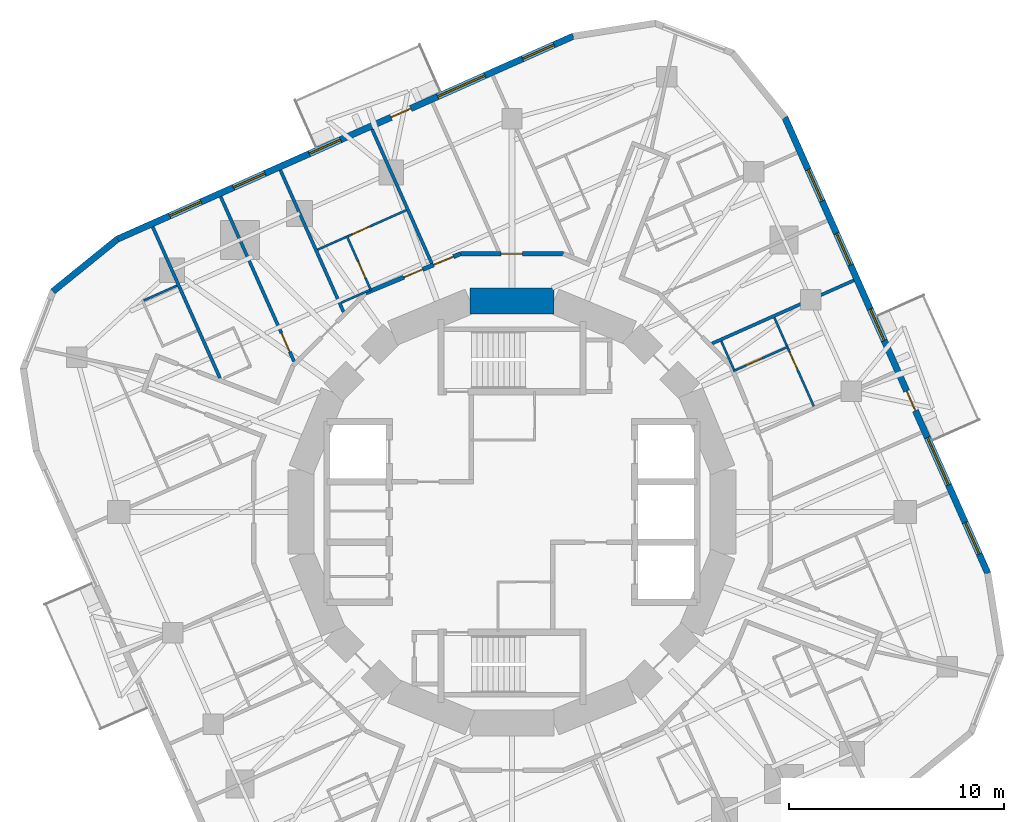
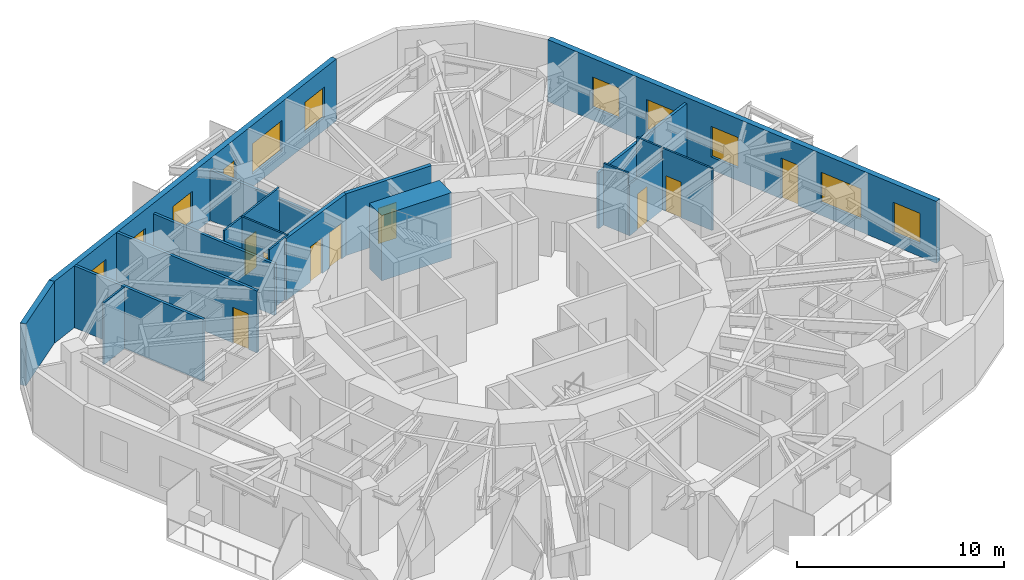
# One storey, part 9 of 12: 20 walls, 10 doors, 10 windows, 20 openings.
"""IFC4 building model written with IfcOpenShell, lengths in metres."""

from ifc_helpers import new_model, si_unit, direction, frame, frame_2d, origin, place, context, subcontext, project, spatial, rectangle, extrude, material, layer, layer_set, type_object, element, fill, save


model = new_model("IFC4")

# Units and contexts
model_context = context("Model", 3, precision=1e-05, world=origin(), true_north=direction((0.0, 1.0)))
body_context = subcontext(model_context, "Body", "Model", "MODEL_VIEW")
ifc_project = project(units=[si_unit("LENGTHUNIT", "METRE"), si_unit("AREAUNIT", "SQUARE_METRE"), si_unit("VOLUMEUNIT", "CUBIC_METRE"), si_unit("PLANEANGLEUNIT", "RADIAN"), si_unit("MASSUNIT", "GRAM", prefix="KILO")], contexts=[model_context])

# Site, building, storey
site_placement = place(None, origin())
site = spatial("IfcSite", under=ifc_project, at=site_placement, CompositionType="ELEMENT")
building_placement = place(site_placement, origin())
building = spatial("IfcBuilding", under=site, at=building_placement, Name="Nakasero Lantern House", CompositionType="ELEMENT")
storey_placement = place(building_placement, frame((0.0, 0.0, 190.14990234375)))
storey = spatial("IfcBuildingStorey", under=building, at=storey_placement, Name="L46", CompositionType="ELEMENT", Elevation=190.14990234375)

# Wall
ifc_material_1 = material(Name="Concrete C50/60", Category="concrete")
ifc_layer_1 = layer(ifc_material_1, 1.199951171875)
ifc_layer_set_1 = layer_set([ifc_layer_1], Name="Core wall 1200")
wall_type_1 = type_object("IfcWallType", Name="Core wall 1200", PredefinedType="SHEAR", material=ifc_layer_set_1)
wall_1_placement = place(storey_placement, frame((1.950927734375, 9.807861328125, 0.0), z_axis=(0.0, 0.0, 1.0), x_axis=(-1.0, 0.0, 0.0)))
element("IfcWall", 1, at=wall_1_placement, inside=storey, type_object=wall_type_1, Name="Core wall L46 facet 4", PredefinedType="SHEAR", context=body_context, shape_type="SweptSolid", body=[
    extrude(rectangle(XDim=3.90185546875, YDim=1.199951171875, at=frame_2d((1.950927734375, 0.0))), origin(), (0.0, 0.0, 1.0), 3.85009765625),
])

# Wall, openings, doors
ifc_material_2 = material(Name="Blockwork", Category="masonry")
ifc_layer_2 = layer(ifc_material_2, 0.199951171875)
ifc_layer_set_2 = layer_set([ifc_layer_2], Name="Corridor wall 200")
wall_type_2 = type_object("IfcWallType", Name="Corridor wall 200", PredefinedType="PARTITIONING", material=ifc_layer_set_2)
wall_2_placement = place(storey_placement, frame((-6.802001953125, 10.1796875, 0.0), z_axis=(0.0, 0.0, 1.0), x_axis=(0.923882292998, 0.382676767893, 0.0)))
wall_2 = element("IfcWall", 2, at=wall_2_placement, inside=storey, type_object=wall_type_2, Name="Corridor wall L46 RC11a", PredefinedType="PARTITIONING", context=body_context, shape_type="SweptSolid", body=[
    extrude(rectangle(XDim=4.777099609375, YDim=0.199951171875, at=frame_2d((2.388671875, 0.0))), origin(), (0.0, 0.0, 1.0), 3.650146484375),
])
opening_1_placement = place(wall_2_placement, frame((1.919921875, 0.0, 0.0)))
opening_1 = element("IfcOpeningElement", 3, at=opening_1_placement, cuts=wall_2, Name="Opening D01", PredefinedType="OPENING", context=body_context, shape_type="SweptSolid", body=[
    extrude(rectangle(XDim=0.949951171875, YDim=2.10009765625, at=frame_2d((0.47509765625, 1.050048828125))), frame((0.0, 0.119873046875, 0.0), z_axis=(0.0, -1.0, 0.0), x_axis=(1.0, 0.0, 0.0)), (0.0, 0.0, 1.0), 0.239990234375),
])
opening_2_placement = place(wall_2_placement, frame((3.419921875, 0.0, 0.0)))
opening_2 = element("IfcOpeningElement", 4, at=opening_2_placement, cuts=wall_2, Name="Opening D03", PredefinedType="OPENING", context=body_context, shape_type="SweptSolid", body=[
    extrude(rectangle(XDim=1.0, YDim=2.10009765625, at=frame_2d((0.5, 1.050048828125))), frame((0.0, 0.119873046875, 0.0), z_axis=(0.0, -1.0, 0.0), x_axis=(1.0, 0.0, 0.0)), (0.0, 0.0, 1.0), 0.239990234375),
])
ifc_material_3 = material(Name="Timber C24", Category="wood")
door_type_1 = type_object("IfcDoorType", Name="Bedroom door FD30S 950", OperationType="SINGLE_SWING_LEFT", PredefinedType="DOOR", material=ifc_material_3)
door_1_placement = place(opening_1_placement, origin())
door_1 = element("IfcDoor", 5, at=door_1_placement, inside=storey, type_object=door_type_1, Name="Door L46 D1-03", OperationType="SINGLE_SWING_RIGHT", OverallHeight=2.10009765625, OverallWidth=0.949951171875, PredefinedType="DOOR", context=body_context, shape_type="SweptSolid", body=[
    extrude(rectangle(XDim=0.949951171875, YDim=2.10009765625, at=frame_2d((0.47509765625, 1.050048828125))), frame((0.0, 0.02490234375, 0.0), z_axis=(0.0, -1.0, 0.0), x_axis=(1.0, 0.0, 0.0)), (0.0, 0.0, 1.0), 0.050048828125),
])
fill(opening_1, door_1)
ifc_material_4 = material(Name="Timber C24", Category="wood")
door_type_2 = type_object("IfcDoorType", Name="Lounge door FD30S 1000", OperationType="SINGLE_SWING_LEFT", PredefinedType="DOOR", material=ifc_material_4)
door_2_placement = place(opening_2_placement, origin())
door_2 = element("IfcDoor", 6, at=door_2_placement, inside=storey, type_object=door_type_2, Name="Door L46 DK1-1", OperationType="SINGLE_SWING_RIGHT", OverallHeight=2.10009765625, OverallWidth=1.0, PredefinedType="DOOR", context=body_context, shape_type="SweptSolid", body=[
    extrude(rectangle(XDim=1.0, YDim=2.10009765625, at=frame_2d((0.5, 1.050048828125))), frame((0.0, 0.02490234375, 0.0), z_axis=(0.0, -1.0, 0.0), x_axis=(1.0, 0.0, 0.0)), (0.0, 0.0, 1.0), 0.050048828125),
])
fill(opening_2, door_2)

# Wall, opening, door
wall_3_placement = place(storey_placement, frame((-2.388427734375, 12.0078125, 0.0), z_axis=(0.0, 0.0, 1.0), x_axis=(1.0, 0.0, 0.0)))
wall_3 = element("IfcWall", 7, at=wall_3_placement, inside=storey, type_object=wall_type_2, Name="Corridor wall L46 RC12a", PredefinedType="PARTITIONING", context=body_context, shape_type="SweptSolid", body=[
    extrude(rectangle(XDim=4.77685546875, YDim=0.199951171875, at=frame_2d((2.388427734375, 0.0))), origin(), (0.0, 0.0, 1.0), 3.650146484375),
])
opening_3_placement = place(wall_3_placement, frame((1.8701171875, 0.0, 0.0)))
opening_3 = element("IfcOpeningElement", 8, at=opening_3_placement, cuts=wall_3, Name="Opening D03", PredefinedType="OPENING", context=body_context, shape_type="SweptSolid", body=[
    extrude(rectangle(XDim=1.0, YDim=2.10009765625, at=frame_2d((0.5, 1.050048828125))), frame((0.0, 0.119873046875, 0.0), z_axis=(0.0, -1.0, 0.0), x_axis=(1.0, 0.0, 0.0)), (0.0, 0.0, 1.0), 0.239990234375),
])
door_3_placement = place(opening_3_placement, origin())
door_3 = element("IfcDoor", 9, at=door_3_placement, inside=storey, type_object=door_type_2, Name="Door L46 DK1", OperationType="SINGLE_SWING_LEFT", OverallHeight=2.10009765625, OverallWidth=1.0, PredefinedType="DOOR", context=body_context, shape_type="SweptSolid", body=[
    extrude(rectangle(XDim=1.0, YDim=2.10009765625, at=frame_2d((0.5, 1.050048828125))), frame((0.0, 0.02490234375, 0.0), z_axis=(0.0, -1.0, 0.0), x_axis=(1.0, 0.0, 0.0)), (0.0, 0.0, 1.0), 0.050048828125),
])
fill(opening_3, door_3)

ifc_material_5 = material(Name="Blockwork", Category="masonry")
ifc_layer_3 = layer(ifc_material_5, 0.10009765625)
ifc_layer_set_3 = layer_set([ifc_layer_3], Name="En-suite wall 100")
wall_type_3 = type_object("IfcWallType", Name="En-suite wall 100", PredefinedType="PARTITIONING", material=ifc_layer_set_3)
wall_4_placement = place(storey_placement, frame((10.29248046875, 6.550048828125, 0.0), z_axis=(0.0, 0.0, 1.0), x_axis=(0.913534471978, 0.406761316386, 0.0)))
wall_4 = element("IfcWall", 10, at=wall_4_placement, inside=storey, type_object=wall_type_3, Name="En-suite wall L46 ES0-03", PredefinedType="PARTITIONING", context=body_context, shape_type="SweptSolid", body=[
    extrude(rectangle(XDim=2.800048828125, YDim=0.10009765625, at=frame_2d((1.39990234375, 0.0))), origin(), (0.0, 0.0, 1.0), 3.037841796875),
])
opening_4_placement = place(wall_4_placement, frame((0.64990234375, 0.0, 0.0)))
opening_4 = element("IfcOpeningElement", 11, at=opening_4_placement, cuts=wall_4, Name="Opening D02", PredefinedType="OPENING", context=body_context, shape_type="SweptSolid", body=[
    extrude(rectangle(XDim=0.800048828125, YDim=2.10009765625, at=frame_2d((0.39990234375, 1.050048828125))), frame((0.0, 0.070068359375, 0.0), z_axis=(0.0, -1.0, 0.0), x_axis=(1.0, 0.0, 0.0)), (0.0, 0.0, 1.0), 0.14013671875),
])
ifc_material_6 = material(Name="Timber C24", Category="wood")
door_type_3 = type_object("IfcDoorType", Name="En-suite door 800", OperationType="SINGLE_SWING_RIGHT", PredefinedType="DOOR", material=ifc_material_6)
door_4_placement = place(opening_4_placement, origin())
door_4 = element("IfcDoor", 12, at=door_4_placement, inside=storey, type_object=door_type_3, Name="Door L46 DE0-03", OperationType="SINGLE_SWING_LEFT", OverallHeight=2.10009765625, OverallWidth=0.800048828125, PredefinedType="DOOR", context=body_context, shape_type="SweptSolid", body=[
    extrude(rectangle(XDim=0.800048828125, YDim=2.10009765625, at=frame_2d((0.39990234375, 1.050048828125))), frame((0.0, 0.02490234375, 0.0), z_axis=(0.0, -1.0, 0.0), x_axis=(1.0, 0.0, 0.0)), (0.0, 0.0, 1.0), 0.050048828125),
])
fill(opening_4, door_4)

# Walls
wall_5_placement = place(storey_placement, frame((12.784423828125, 7.71435546875, 0.0), z_axis=(0.0, 0.0, 1.0), x_axis=(-0.40682579145, 0.913505761017, 0.0)))
element("IfcWall", 13, at=wall_5_placement, inside=storey, type_object=wall_type_3, Name="En-suite wall L46 EE0-03", PredefinedType="PARTITIONING", context=body_context, shape_type="SweptSolid", body=[
    extrude(rectangle(XDim=1.449951171875, YDim=0.10009765625, at=frame_2d((0.72509765625, 0.0))), origin(), (0.0, 0.0, 1.0), 3.650146484375),
])
wall_6_placement = place(storey_placement, frame((10.31787109375, 6.615966796875, 0.0), z_axis=(0.0, 0.0, 1.0), x_axis=(-0.406763220732, 0.913533624044, 0.0)))
element("IfcWall", 14, at=wall_6_placement, inside=storey, type_object=wall_type_3, Name="En-suite wall L46 EI0-03", PredefinedType="PARTITIONING", context=body_context, shape_type="SweptSolid", body=[
    extrude(rectangle(XDim=1.4501953125, YDim=0.10009765625, at=frame_2d((0.72509765625, 0.0))), origin(), (0.0, 0.0, 1.0), 3.650146484375),
])

# Wall, opening, door
wall_7_placement = place(storey_placement, frame((-6.550048828125, 10.29248046875, 0.0), z_axis=(0.0, 0.0, 1.0), x_axis=(-0.406761316386, 0.913534471978, 0.0)))
wall_7 = element("IfcWall", 15, at=wall_7_placement, inside=storey, type_object=wall_type_3, Name="En-suite wall L46 ES1-03", PredefinedType="PARTITIONING", context=body_context, shape_type="SweptSolid", body=[
    extrude(rectangle(XDim=2.800048828125, YDim=0.10009765625, at=frame_2d((1.39990234375, 0.0))), origin(), (0.0, 0.0, 1.0), 3.650146484375),
])
opening_5_placement = place(wall_7_placement, frame((0.64990234375, 0.0, 0.0)))
opening_5 = element("IfcOpeningElement", 16, at=opening_5_placement, cuts=wall_7, Name="Opening D02", PredefinedType="OPENING", context=body_context, shape_type="SweptSolid", body=[
    extrude(rectangle(XDim=0.800048828125, YDim=2.10009765625, at=frame_2d((0.39990234375, 1.050048828125))), frame((0.0, 0.070068359375, 0.0), z_axis=(0.0, -1.0, 0.0), x_axis=(1.0, 0.0, 0.0)), (0.0, 0.0, 1.0), 0.14013671875),
])
door_5_placement = place(opening_5_placement, origin())
door_5 = element("IfcDoor", 17, at=door_5_placement, inside=storey, type_object=door_type_3, Name="Door L46 DE1-03", OperationType="SINGLE_SWING_LEFT", OverallHeight=2.10009765625, OverallWidth=0.800048828125, PredefinedType="DOOR", context=body_context, shape_type="SweptSolid", body=[
    extrude(rectangle(XDim=0.800048828125, YDim=2.10009765625, at=frame_2d((0.39990234375, 1.050048828125))), frame((0.0, 0.02490234375, 0.0), z_axis=(0.0, -1.0, 0.0), x_axis=(1.0, 0.0, 0.0)), (0.0, 0.0, 1.0), 0.050048828125),
])
fill(opening_5, door_5)

# Walls
wall_8_placement = place(storey_placement, frame((-7.71435546875, 12.784423828125, 0.0), z_axis=(0.0, 0.0, 1.0), x_axis=(-0.913505761017, -0.40682579145, 0.0)))
element("IfcWall", 18, at=wall_8_placement, inside=storey, type_object=wall_type_3, Name="En-suite wall L46 EE1-03", PredefinedType="PARTITIONING", context=body_context, shape_type="SweptSolid", body=[
    extrude(rectangle(XDim=1.449951171875, YDim=0.10009765625, at=frame_2d((0.72509765625, 0.0))), origin(), (0.0, 0.0, 1.0), 3.650146484375),
])
wall_9_placement = place(storey_placement, frame((-6.615966796875, 10.31787109375, 0.0), z_axis=(0.0, 0.0, 1.0), x_axis=(-0.913533624044, -0.406763220732, 0.0)))
element("IfcWall", 19, at=wall_9_placement, inside=storey, type_object=wall_type_3, Name="En-suite wall L46 EI1-03", PredefinedType="PARTITIONING", context=body_context, shape_type="SweptSolid", body=[
    extrude(rectangle(XDim=1.4501953125, YDim=0.10009765625, at=frame_2d((0.72509765625, 0.0))), origin(), (0.0, 0.0, 1.0), 3.650146484375),
])
wall_10_placement = place(storey_placement, frame((-15.572265625, 10.526123046875, 0.0), z_axis=(0.0, 0.0, 1.0), x_axis=(-0.913550776237, -0.406724697108, 0.0)))
element("IfcWall", 20, at=wall_10_placement, inside=storey, type_object=wall_type_3, Name="En-suite wall L46 EE1-06", PredefinedType="PARTITIONING", context=body_context, shape_type="SweptSolid", body=[
    extrude(rectangle(XDim=1.699951171875, YDim=0.10009765625, at=frame_2d((0.85009765625, 0.0))), origin(), (0.0, 0.0, 1.0), 3.650146484375),
])

# Wall, opening, door
wall_11_placement = place(storey_placement, frame((14.03125, 4.913818359375, 0.0), z_axis=(0.0, 0.0, 1.0), x_axis=(-0.406787659366, 0.91352274202, 0.0)))
wall_11 = element("IfcWall", 21, at=wall_11_placement, inside=storey, type_object=wall_type_3, Name="En-suite wall L46 EL0-03", PredefinedType="PARTITIONING", context=body_context, shape_type="SweptSolid", body=[
    extrude(rectangle(XDim=2.96533203125, YDim=0.10009765625, at=frame_2d((1.482666015625, 0.0))), origin(), (0.0, 0.0, 1.0), 3.650146484375),
])
opening_6_placement = place(wall_11_placement, frame((1.865478515625, 0.0, 0.0)))
opening_6 = element("IfcOpeningElement", 22, at=opening_6_placement, cuts=wall_11, Name="Opening D17", PredefinedType="OPENING", context=body_context, shape_type="SweptSolid", body=[
    extrude(rectangle(XDim=0.89990234375, YDim=2.10009765625, at=frame_2d((0.449951171875, 1.050048828125))), frame((0.0, 0.070068359375, 0.0), z_axis=(0.0, -1.0, 0.0), x_axis=(1.0, 0.0, 0.0)), (0.0, 0.0, 1.0), 0.14013671875),
])
ifc_material_7 = material(Name="Timber C24", Category="wood")
door_type_4 = type_object("IfcDoorType", Name="Bedroom door FD30S 900", OperationType="SINGLE_SWING_LEFT", PredefinedType="DOOR", material=ifc_material_7)
door_6_placement = place(opening_6_placement, origin())
door_6 = element("IfcDoor", 23, at=door_6_placement, inside=storey, type_object=door_type_4, Name="Door L46 DL0-03", OperationType="SINGLE_SWING_RIGHT", OverallHeight=2.10009765625, OverallWidth=0.89990234375, PredefinedType="DOOR", context=body_context, shape_type="SweptSolid", body=[
    extrude(rectangle(XDim=0.89990234375, YDim=2.10009765625, at=frame_2d((0.449951171875, 1.050048828125))), frame((0.0, 0.02490234375, 0.0), z_axis=(0.0, -1.0, 0.0), x_axis=(1.0, 0.0, 0.0)), (0.0, 0.0, 1.0), 0.050048828125),
])
fill(opening_6, door_6)

wall_12_placement = place(storey_placement, frame((-4.913818359375, 14.03125, 0.0), z_axis=(0.0, 0.0, 1.0), x_axis=(-0.91352274202, -0.406787659366, 0.0)))
wall_12 = element("IfcWall", 24, at=wall_12_placement, inside=storey, type_object=wall_type_3, Name="En-suite wall L46 EL1-03", PredefinedType="PARTITIONING", context=body_context, shape_type="SweptSolid", body=[
    extrude(rectangle(XDim=2.96533203125, YDim=0.10009765625, at=frame_2d((1.482666015625, 0.0))), origin(), (0.0, 0.0, 1.0), 3.650146484375),
])
opening_7_placement = place(wall_12_placement, frame((1.865478515625, 0.0, 0.0)))
opening_7 = element("IfcOpeningElement", 25, at=opening_7_placement, cuts=wall_12, Name="Opening D17", PredefinedType="OPENING", context=body_context, shape_type="SweptSolid", body=[
    extrude(rectangle(XDim=0.89990234375, YDim=2.10009765625, at=frame_2d((0.449951171875, 1.050048828125))), frame((0.0, 0.070068359375, 0.0), z_axis=(0.0, -1.0, 0.0), x_axis=(1.0, 0.0, 0.0)), (0.0, 0.0, 1.0), 0.14013671875),
])
door_7_placement = place(opening_7_placement, origin())
door_7 = element("IfcDoor", 26, at=door_7_placement, inside=storey, type_object=door_type_4, Name="Door L46 DL1-03", OperationType="SINGLE_SWING_RIGHT", OverallHeight=2.10009765625, OverallWidth=0.89990234375, PredefinedType="DOOR", context=body_context, shape_type="SweptSolid", body=[
    extrude(rectangle(XDim=0.89990234375, YDim=2.10009765625, at=frame_2d((0.449951171875, 1.050048828125))), frame((0.0, 0.02490234375, 0.0), z_axis=(0.0, -1.0, 0.0), x_axis=(1.0, 0.0, 0.0)), (0.0, 0.0, 1.0), 0.050048828125),
])
fill(opening_7, door_7)

# Wall, openings, door, windows
ifc_material_8 = material(Name="Aluminium rainscreen on blockwork", Category="masonry")
ifc_layer_4 = layer(ifc_material_8, 0.300048828125)
ifc_layer_set_4 = layer_set([ifc_layer_4], Name="Facade wall 300")
wall_type_4 = type_object("IfcWallType", Name="Facade wall 300", PredefinedType="SOLIDWALL", material=ifc_layer_set_4)
wall_13_placement = place(storey_placement, frame((22.12109375, -2.848876953125, 0.0), z_axis=(0.0, 0.0, 1.0), x_axis=(-0.406734951338, 0.913546210851, 0.0)))
wall_13 = element("IfcWall", 27, at=wall_13_placement, inside=storey, type_object=wall_type_4, Name="Facade wall L46 FW0S", PredefinedType="SOLIDWALL", context=body_context, shape_type="SweptSolid", body=[
    extrude(rectangle(XDim=23.199951171875, YDim=0.300048828125, at=frame_2d((11.60009765625, 0.0))), origin(), (0.0, 0.0, 1.0), 3.650146484375),
])
opening_8_placement = place(wall_13_placement, frame((0.982421875, 0.0, 0.75)))
opening_8 = element("IfcOpeningElement", 28, at=opening_8_placement, cuts=wall_13, Name="Opening W01", PredefinedType="OPENING", context=body_context, shape_type="SweptSolid", body=[
    extrude(rectangle(XDim=1.60009765625, YDim=1.800048828125, at=frame_2d((0.800048828125, 0.89990234375))), frame((0.0, 0.169921875, 0.0), z_axis=(0.0, -1.0, 0.0), x_axis=(1.0, 0.0, 0.0)), (0.0, 0.0, 1.0), 0.340087890625),
])
opening_9_placement = place(wall_13_placement, frame((11.83984375, 0.0, 0.75)))
opening_9 = element("IfcOpeningElement", 29, at=opening_9_placement, cuts=wall_13, Name="Opening W01", PredefinedType="OPENING", context=body_context, shape_type="SweptSolid", body=[
    extrude(rectangle(XDim=1.60009765625, YDim=1.800048828125, at=frame_2d((0.800048828125, 0.89990234375))), frame((0.0, 0.169921875, 0.0), z_axis=(0.0, -1.0, 0.0), x_axis=(1.0, 0.0, 0.0)), (0.0, 0.0, 1.0), 0.340087890625),
])
opening_10_placement = place(wall_13_placement, frame((15.69140625, 0.0, 0.75)))
opening_10 = element("IfcOpeningElement", 30, at=opening_10_placement, cuts=wall_13, Name="Opening W01", PredefinedType="OPENING", context=body_context, shape_type="SweptSolid", body=[
    extrude(rectangle(XDim=1.60009765625, YDim=1.800048828125, at=frame_2d((0.800048828125, 0.89990234375))), frame((0.0, 0.169921875, 0.0), z_axis=(0.0, -1.0, 0.0), x_axis=(1.0, 0.0, 0.0)), (0.0, 0.0, 1.0), 0.340087890625),
])
opening_11_placement = place(wall_13_placement, frame((18.940185546875, 0.0, 0.75)))
opening_11 = element("IfcOpeningElement", 31, at=opening_11_placement, cuts=wall_13, Name="Opening W01", PredefinedType="OPENING", context=body_context, shape_type="SweptSolid", body=[
    extrude(rectangle(XDim=1.60009765625, YDim=1.800048828125, at=frame_2d((0.800048828125, 0.89990234375))), frame((0.0, 0.169921875, 0.0), z_axis=(0.0, -1.0, 0.0), x_axis=(1.0, 0.0, 0.0)), (0.0, 0.0, 1.0), 0.340087890625),
])
opening_12_placement = place(wall_13_placement, frame((4.500244140625, 0.0, 0.75)))
opening_12 = element("IfcOpeningElement", 32, at=opening_12_placement, cuts=wall_13, Name="Opening W03", PredefinedType="OPENING", context=body_context, shape_type="SweptSolid", body=[
    extrude(rectangle(XDim=2.39990234375, YDim=1.800048828125, at=frame_2d((1.199951171875, 0.89990234375))), frame((0.0, 0.169921875, 0.0), z_axis=(0.0, -1.0, 0.0), x_axis=(1.0, 0.0, 0.0)), (0.0, 0.0, 1.0), 0.340087890625),
])
opening_13_placement = place(wall_13_placement, frame((8.271484375, 0.0, 0.0)))
opening_13 = element("IfcOpeningElement", 33, at=opening_13_placement, cuts=wall_13, Name="Opening D04", PredefinedType="OPENING", context=body_context, shape_type="SweptSolid", body=[
    extrude(rectangle(XDim=1.0, YDim=2.39990234375, at=frame_2d((0.5, 1.199951171875))), frame((0.0, 0.169921875, 0.0), z_axis=(0.0, -1.0, 0.0), x_axis=(1.0, 0.0, 0.0)), (0.0, 0.0, 1.0), 0.340087890625),
])
ifc_material_9 = material(Name="Aluminium 6063-T6 and glass", Category="aluminium")
door_type_5 = type_object("IfcDoorType", Name="Balcony door 1000x2400", OperationType="SINGLE_SWING_RIGHT", PredefinedType="DOOR", material=ifc_material_9)
door_8_placement = place(opening_13_placement, origin())
door_8 = element("IfcDoor", 34, at=door_8_placement, inside=storey, type_object=door_type_5, Name="Balcony door L46 DB0", OperationType="SINGLE_SWING_RIGHT", OverallHeight=2.39990234375, OverallWidth=1.0, PredefinedType="DOOR", context=body_context, shape_type="SweptSolid", body=[
    extrude(rectangle(XDim=1.0, YDim=2.39990234375, at=frame_2d((0.5, 1.199951171875))), frame((0.0, 0.02490234375, 0.0), z_axis=(0.0, -1.0, 0.0), x_axis=(1.0, 0.0, 0.0)), (0.0, 0.0, 1.0), 0.050048828125),
])
fill(opening_13, door_8)
ifc_material_10 = material(Name="Aluminium 6063-T6 and glass", Category="aluminium")
window_type_1 = type_object("IfcWindowType", Name="Bedroom window 1600x1800", PartitioningType="SINGLE_PANEL", PredefinedType="WINDOW", material=ifc_material_10)
window_1_placement = place(opening_8_placement, origin())
window_1 = element("IfcWindow", 35, at=window_1_placement, inside=storey, type_object=window_type_1, Name="Window L46 WN0-00", OverallHeight=1.800048828125, OverallWidth=1.60009765625, PartitioningType="SINGLE_PANEL", PredefinedType="WINDOW", context=body_context, shape_type="SweptSolid", body=[
    extrude(rectangle(XDim=1.60009765625, YDim=1.800048828125, at=frame_2d((0.800048828125, 0.89990234375))), frame((0.0, 0.030029296875, 0.0), z_axis=(0.0, -1.0, 0.0), x_axis=(1.0, 0.0, 0.0)), (0.0, 0.0, 1.0), 0.06005859375),
])
fill(opening_8, window_1)
window_2_placement = place(opening_9_placement, origin())
window_2 = element("IfcWindow", 36, at=window_2_placement, inside=storey, type_object=window_type_1, Name="Window L46 WN0-03", OverallHeight=1.800048828125, OverallWidth=1.60009765625, PartitioningType="SINGLE_PANEL", PredefinedType="WINDOW", context=body_context, shape_type="SweptSolid", body=[
    extrude(rectangle(XDim=1.60009765625, YDim=1.800048828125, at=frame_2d((0.800048828125, 0.89990234375))), frame((0.0, 0.030029296875, 0.0), z_axis=(0.0, -1.0, 0.0), x_axis=(1.0, 0.0, 0.0)), (0.0, 0.0, 1.0), 0.06005859375),
])
fill(opening_9, window_2)
window_3_placement = place(opening_10_placement, origin())
window_3 = element("IfcWindow", 37, at=window_3_placement, inside=storey, type_object=window_type_1, Name="Window L46 WN0-04", OverallHeight=1.800048828125, OverallWidth=1.60009765625, PartitioningType="SINGLE_PANEL", PredefinedType="WINDOW", context=body_context, shape_type="SweptSolid", body=[
    extrude(rectangle(XDim=1.60009765625, YDim=1.800048828125, at=frame_2d((0.800048828125, 0.89990234375))), frame((0.0, 0.030029296875, 0.0), z_axis=(0.0, -1.0, 0.0), x_axis=(1.0, 0.0, 0.0)), (0.0, 0.0, 1.0), 0.06005859375),
])
fill(opening_10, window_3)
window_4_placement = place(opening_11_placement, origin())
window_4 = element("IfcWindow", 38, at=window_4_placement, inside=storey, type_object=window_type_1, Name="Window L46 WN0-05", OverallHeight=1.800048828125, OverallWidth=1.60009765625, PartitioningType="SINGLE_PANEL", PredefinedType="WINDOW", context=body_context, shape_type="SweptSolid", body=[
    extrude(rectangle(XDim=1.60009765625, YDim=1.800048828125, at=frame_2d((0.800048828125, 0.89990234375))), frame((0.0, 0.030029296875, 0.0), z_axis=(0.0, -1.0, 0.0), x_axis=(1.0, 0.0, 0.0)), (0.0, 0.0, 1.0), 0.06005859375),
])
fill(opening_11, window_4)
ifc_material_11 = material(Name="Aluminium 6063-T6 and glass", Category="aluminium")
window_type_2 = type_object("IfcWindowType", Name="Lounge window 2400x1800", PartitioningType="SINGLE_PANEL", PredefinedType="WINDOW", material=ifc_material_11)
window_5_placement = place(opening_12_placement, origin())
window_5 = element("IfcWindow", 39, at=window_5_placement, inside=storey, type_object=window_type_2, Name="Window L46 WK0", OverallHeight=1.800048828125, OverallWidth=2.39990234375, PartitioningType="SINGLE_PANEL", PredefinedType="WINDOW", context=body_context, shape_type="SweptSolid", body=[
    extrude(rectangle(XDim=2.39990234375, YDim=1.800048828125, at=frame_2d((1.199951171875, 0.89990234375))), frame((0.0, 0.030029296875, 0.0), z_axis=(0.0, -1.0, 0.0), x_axis=(1.0, 0.0, 0.0)), (0.0, 0.0, 1.0), 0.06005859375),
])
fill(opening_12, window_5)

wall_14_placement = place(storey_placement, frame((2.848876953125, 22.12109375, 0.0), z_axis=(0.0, 0.0, 1.0), x_axis=(-0.913546210851, -0.406734951338, 0.0)))
wall_14 = element("IfcWall", 40, at=wall_14_placement, inside=storey, type_object=wall_type_4, Name="Facade wall L46 FW1S", PredefinedType="SOLIDWALL", context=body_context, shape_type="SweptSolid", body=[
    extrude(rectangle(XDim=23.199951171875, YDim=0.300048828125, at=frame_2d((11.60009765625, 0.0))), origin(), (0.0, 0.0, 1.0), 3.650146484375),
])
opening_14_placement = place(wall_14_placement, frame((0.982421875, 0.0, 0.75)))
opening_14 = element("IfcOpeningElement", 41, at=opening_14_placement, cuts=wall_14, Name="Opening W01", PredefinedType="OPENING", context=body_context, shape_type="SweptSolid", body=[
    extrude(rectangle(XDim=1.60009765625, YDim=1.800048828125, at=frame_2d((0.800048828125, 0.89990234375))), frame((0.0, 0.169921875, 0.0), z_axis=(0.0, -1.0, 0.0), x_axis=(1.0, 0.0, 0.0)), (0.0, 0.0, 1.0), 0.340087890625),
])
opening_15_placement = place(wall_14_placement, frame((11.83984375, 0.0, 0.75)))
opening_15 = element("IfcOpeningElement", 42, at=opening_15_placement, cuts=wall_14, Name="Opening W01", PredefinedType="OPENING", context=body_context, shape_type="SweptSolid", body=[
    extrude(rectangle(XDim=1.60009765625, YDim=1.800048828125, at=frame_2d((0.800048828125, 0.89990234375))), frame((0.0, 0.169921875, 0.0), z_axis=(0.0, -1.0, 0.0), x_axis=(1.0, 0.0, 0.0)), (0.0, 0.0, 1.0), 0.340087890625),
])
opening_16_placement = place(wall_14_placement, frame((15.69140625, 0.0, 0.75)))
opening_16 = element("IfcOpeningElement", 43, at=opening_16_placement, cuts=wall_14, Name="Opening W01", PredefinedType="OPENING", context=body_context, shape_type="SweptSolid", body=[
    extrude(rectangle(XDim=1.60009765625, YDim=1.800048828125, at=frame_2d((0.800048828125, 0.89990234375))), frame((0.0, 0.169921875, 0.0), z_axis=(0.0, -1.0, 0.0), x_axis=(1.0, 0.0, 0.0)), (0.0, 0.0, 1.0), 0.340087890625),
])
opening_17_placement = place(wall_14_placement, frame((18.940185546875, 0.0, 0.75)))
opening_17 = element("IfcOpeningElement", 44, at=opening_17_placement, cuts=wall_14, Name="Opening W01", PredefinedType="OPENING", context=body_context, shape_type="SweptSolid", body=[
    extrude(rectangle(XDim=1.60009765625, YDim=1.800048828125, at=frame_2d((0.800048828125, 0.89990234375))), frame((0.0, 0.169921875, 0.0), z_axis=(0.0, -1.0, 0.0), x_axis=(1.0, 0.0, 0.0)), (0.0, 0.0, 1.0), 0.340087890625),
])
opening_18_placement = place(wall_14_placement, frame((4.500244140625, 0.0, 0.75)))
opening_18 = element("IfcOpeningElement", 45, at=opening_18_placement, cuts=wall_14, Name="Opening W03", PredefinedType="OPENING", context=body_context, shape_type="SweptSolid", body=[
    extrude(rectangle(XDim=2.39990234375, YDim=1.800048828125, at=frame_2d((1.199951171875, 0.89990234375))), frame((0.0, 0.169921875, 0.0), z_axis=(0.0, -1.0, 0.0), x_axis=(1.0, 0.0, 0.0)), (0.0, 0.0, 1.0), 0.340087890625),
])
opening_19_placement = place(wall_14_placement, frame((8.271484375, 0.0, 0.0)))
opening_19 = element("IfcOpeningElement", 46, at=opening_19_placement, cuts=wall_14, Name="Opening D04", PredefinedType="OPENING", context=body_context, shape_type="SweptSolid", body=[
    extrude(rectangle(XDim=1.0, YDim=2.39990234375, at=frame_2d((0.5, 1.199951171875))), frame((0.0, 0.169921875, 0.0), z_axis=(0.0, -1.0, 0.0), x_axis=(1.0, 0.0, 0.0)), (0.0, 0.0, 1.0), 0.340087890625),
])
door_9_placement = place(opening_19_placement, origin())
door_9 = element("IfcDoor", 47, at=door_9_placement, inside=storey, type_object=door_type_5, Name="Balcony door L46 DB1", OperationType="SINGLE_SWING_RIGHT", OverallHeight=2.39990234375, OverallWidth=1.0, PredefinedType="DOOR", context=body_context, shape_type="SweptSolid", body=[
    extrude(rectangle(XDim=1.0, YDim=2.39990234375, at=frame_2d((0.5, 1.199951171875))), frame((0.0, 0.02490234375, 0.0), z_axis=(0.0, -1.0, 0.0), x_axis=(1.0, 0.0, 0.0)), (0.0, 0.0, 1.0), 0.050048828125),
])
fill(opening_19, door_9)
window_6_placement = place(opening_14_placement, origin())
window_6 = element("IfcWindow", 48, at=window_6_placement, inside=storey, type_object=window_type_1, Name="Window L46 WN1-00", OverallHeight=1.800048828125, OverallWidth=1.60009765625, PartitioningType="SINGLE_PANEL", PredefinedType="WINDOW", context=body_context, shape_type="SweptSolid", body=[
    extrude(rectangle(XDim=1.60009765625, YDim=1.800048828125, at=frame_2d((0.800048828125, 0.89990234375))), frame((0.0, 0.030029296875, 0.0), z_axis=(0.0, -1.0, 0.0), x_axis=(1.0, 0.0, 0.0)), (0.0, 0.0, 1.0), 0.06005859375),
])
fill(opening_14, window_6)
window_7_placement = place(opening_15_placement, origin())
window_7 = element("IfcWindow", 49, at=window_7_placement, inside=storey, type_object=window_type_1, Name="Window L46 WN1-03", OverallHeight=1.800048828125, OverallWidth=1.60009765625, PartitioningType="SINGLE_PANEL", PredefinedType="WINDOW", context=body_context, shape_type="SweptSolid", body=[
    extrude(rectangle(XDim=1.60009765625, YDim=1.800048828125, at=frame_2d((0.800048828125, 0.89990234375))), frame((0.0, 0.030029296875, 0.0), z_axis=(0.0, -1.0, 0.0), x_axis=(1.0, 0.0, 0.0)), (0.0, 0.0, 1.0), 0.06005859375),
])
fill(opening_15, window_7)
window_8_placement = place(opening_16_placement, origin())
window_8 = element("IfcWindow", 50, at=window_8_placement, inside=storey, type_object=window_type_1, Name="Window L46 WN1-04", OverallHeight=1.800048828125, OverallWidth=1.60009765625, PartitioningType="SINGLE_PANEL", PredefinedType="WINDOW", context=body_context, shape_type="SweptSolid", body=[
    extrude(rectangle(XDim=1.60009765625, YDim=1.800048828125, at=frame_2d((0.800048828125, 0.89990234375))), frame((0.0, 0.030029296875, 0.0), z_axis=(0.0, -1.0, 0.0), x_axis=(1.0, 0.0, 0.0)), (0.0, 0.0, 1.0), 0.06005859375),
])
fill(opening_16, window_8)
window_9_placement = place(opening_17_placement, origin())
window_9 = element("IfcWindow", 51, at=window_9_placement, inside=storey, type_object=window_type_1, Name="Window L46 WN1-05", OverallHeight=1.800048828125, OverallWidth=1.60009765625, PartitioningType="SINGLE_PANEL", PredefinedType="WINDOW", context=body_context, shape_type="SweptSolid", body=[
    extrude(rectangle(XDim=1.60009765625, YDim=1.800048828125, at=frame_2d((0.800048828125, 0.89990234375))), frame((0.0, 0.030029296875, 0.0), z_axis=(0.0, -1.0, 0.0), x_axis=(1.0, 0.0, 0.0)), (0.0, 0.0, 1.0), 0.06005859375),
])
fill(opening_17, window_9)
window_10_placement = place(opening_18_placement, origin())
window_10 = element("IfcWindow", 52, at=window_10_placement, inside=storey, type_object=window_type_2, Name="Window L46 WK1", OverallHeight=1.800048828125, OverallWidth=2.39990234375, PartitioningType="SINGLE_PANEL", PredefinedType="WINDOW", context=body_context, shape_type="SweptSolid", body=[
    extrude(rectangle(XDim=2.39990234375, YDim=1.800048828125, at=frame_2d((1.199951171875, 0.89990234375))), frame((0.0, 0.030029296875, 0.0), z_axis=(0.0, -1.0, 0.0), x_axis=(1.0, 0.0, 0.0)), (0.0, 0.0, 1.0), 0.06005859375),
])
fill(opening_18, window_10)

# Walls
wall_15_placement = place(storey_placement, frame((-18.345458984375, 12.684814453125, 0.0), z_axis=(0.0, 0.0, 1.0), x_axis=(-0.777174099125, -0.629285642335, 0.0)))
element("IfcWall", 53, at=wall_15_placement, inside=storey, type_object=wall_type_4, Name="Facade wall L46 FW1C1", PredefinedType="SOLIDWALL", context=body_context, shape_type="SweptSolid", body=[
    extrude(rectangle(XDim=3.8564453125, YDim=0.300048828125, at=frame_2d((1.92822265625, 0.0))), origin(), (0.0, 0.0, 1.0), 3.650146484375),
])
ifc_material_12 = material(Name="Blockwork", Category="masonry")
ifc_layer_5 = layer(ifc_material_12, 0.14990234375)
ifc_layer_set_5 = layer_set([ifc_layer_5], Name="Party wall 150")
wall_type_5 = type_object("IfcWallType", Name="Party wall 150", PredefinedType="PARTITIONING", material=ifc_layer_set_5)
wall_16_placement = place(storey_placement, frame((9.293701171875, 7.829345703125, 0.0), z_axis=(0.0, 0.0, 1.0), x_axis=(0.913535447493, 0.406759125496, 0.0)))
element("IfcWall", 54, at=wall_16_placement, inside=storey, type_object=wall_type_5, Name="Party wall L46 PW0-04", PredefinedType="PARTITIONING", context=body_context, shape_type="SweptSolid", body=[
    extrude(rectangle(XDim=7.225341796875, YDim=0.14990234375, at=frame_2d((3.61279296875, 0.0))), origin(), (0.0, 0.0, 1.0), 3.295166015625),
])
wall_17_placement = place(storey_placement, frame((-3.7314453125, 11.559814453125, 0.0), z_axis=(0.0, 0.0, 1.0), x_axis=(-0.406739408224, 0.913544226514, 0.0)))
element("IfcWall", 55, at=wall_17_placement, inside=storey, type_object=wall_type_5, Name="Party wall L46 PW1-03", PredefinedType="PARTITIONING", context=body_context, shape_type="SweptSolid", body=[
    extrude(rectangle(XDim=6.82177734375, YDim=0.14990234375, at=frame_2d((3.410888671875, 0.0))), origin(), (0.0, 0.0, 1.0), 2.966552734375),
])
wall_18_placement = place(storey_placement, frame((-7.829345703125, 9.293701171875, 0.0), z_axis=(0.0, 0.0, 1.0), x_axis=(-0.406759125496, 0.913535447493, 0.0)))
element("IfcWall", 56, at=wall_18_placement, inside=storey, type_object=wall_type_5, Name="Party wall L46 PW1-04", PredefinedType="PARTITIONING", context=body_context, shape_type="SweptSolid", body=[
    extrude(rectangle(XDim=7.225341796875, YDim=0.14990234375, at=frame_2d((3.61279296875, 0.0))), origin(), (0.0, 0.0, 1.0), 3.037841796875),
])

# Wall, opening, door
wall_19_placement = place(storey_placement, frame((-10.130615234375, 6.99267578125, 0.0), z_axis=(0.0, 0.0, 1.0), x_axis=(-0.406732255089, 0.913547411288, 0.0)))
wall_19 = element("IfcWall", 57, at=wall_19_placement, inside=storey, type_object=wall_type_5, Name="Party wall L46 PW1-05", PredefinedType="PARTITIONING", context=body_context, shape_type="SweptSolid", body=[
    extrude(rectangle(XDim=8.3916015625, YDim=0.14990234375, at=frame_2d((4.19580078125, 0.0))), origin(), (0.0, 0.0, 1.0), 3.650146484375),
])
opening_20_placement = place(wall_19_placement, frame((0.5, 0.0, 0.0)))
opening_20 = element("IfcOpeningElement", 58, at=opening_20_placement, cuts=wall_19, Name="Opening D01", PredefinedType="OPENING", context=body_context, shape_type="SweptSolid", body=[
    extrude(rectangle(XDim=0.949951171875, YDim=2.10009765625, at=frame_2d((0.47509765625, 1.050048828125))), frame((0.0, 0.094970703125, 0.0), z_axis=(0.0, -1.0, 0.0), x_axis=(1.0, 0.0, 0.0)), (0.0, 0.0, 1.0), 0.18994140625),
])
door_10_placement = place(opening_20_placement, origin())
door_10 = element("IfcDoor", 59, at=door_10_placement, inside=storey, type_object=door_type_1, Name="Door L46 DS1-05", OperationType="SINGLE_SWING_LEFT", OverallHeight=2.10009765625, OverallWidth=0.949951171875, PredefinedType="DOOR", context=body_context, shape_type="SweptSolid", body=[
    extrude(rectangle(XDim=0.949951171875, YDim=2.10009765625, at=frame_2d((0.47509765625, 1.050048828125))), frame((0.0, 0.02490234375, 0.0), z_axis=(0.0, -1.0, 0.0), x_axis=(1.0, 0.0, 0.0)), (0.0, 0.0, 1.0), 0.050048828125),
])
fill(opening_20, door_10)

# Wall
wall_20_placement = place(storey_placement, frame((-13.5771484375, 6.2294921875, 0.0), z_axis=(0.0, 0.0, 1.0), x_axis=(-0.406733656408, 0.913546787387, 0.0)))
element("IfcWall", 60, at=wall_20_placement, inside=storey, type_object=wall_type_5, Name="Party wall L46 PW1-06", PredefinedType="PARTITIONING", context=body_context, shape_type="SweptSolid", body=[
    extrude(rectangle(XDim=7.686767578125, YDim=0.14990234375, at=frame_2d((3.84326171875, 0.0))), origin(), (0.0, 0.0, 1.0), 3.650146484375),
])

save(model, "model.ifc")
